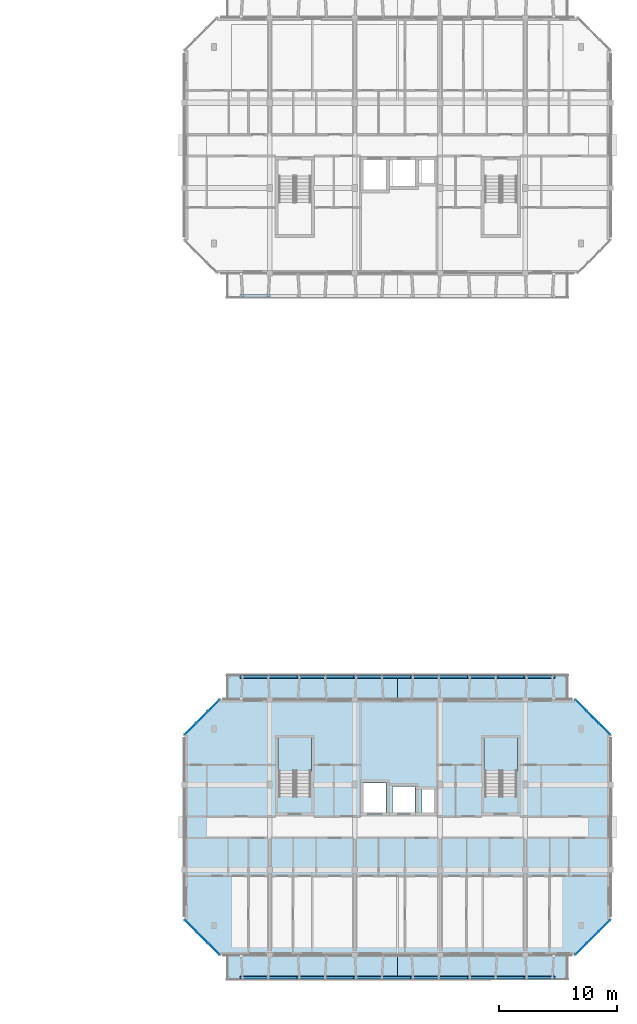
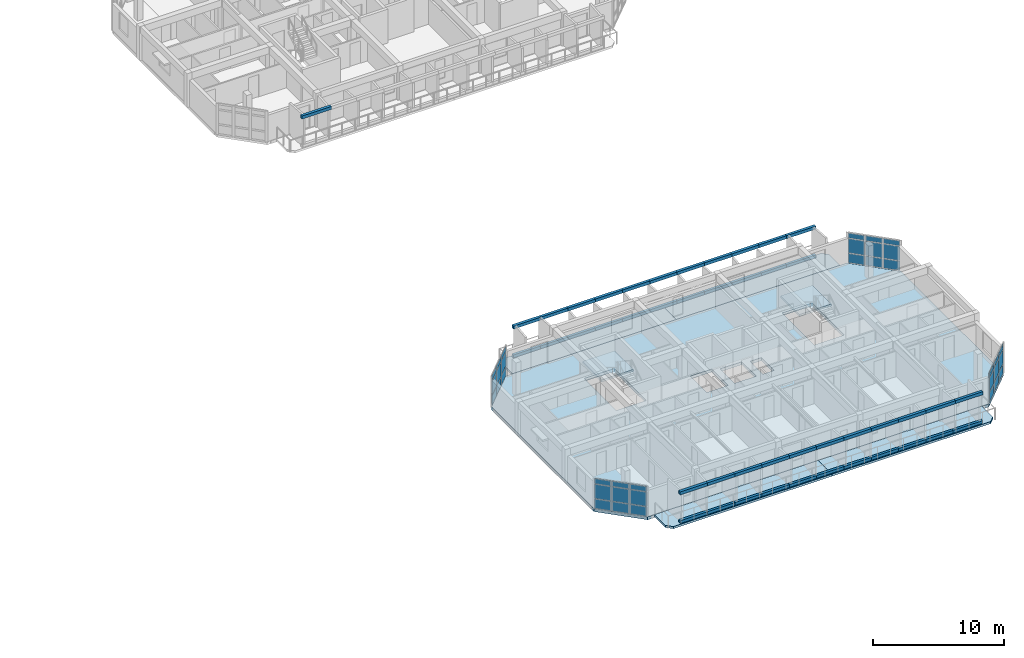
# One storey, part 10 of 30: 81 plates, 7 slabs, 6 elements without a shape of their own.
"""IFC4 building model written with IfcOpenShell, lengths in metres."""

from ifc_helpers import new_model, si_unit, direction, frame, origin, origin_2d, place, context, subcontext, project, spatial, polyline, rectangle, outline, extrude, material, layer, layer_set, type_object, element, aggregate, save


model = new_model("IFC4")

# Units and contexts
model_context = context("Model", 3, precision=1e-05, world=origin(), true_north=direction((0.0, 1.0)))
body_context = subcontext(model_context, "Body", "Model", "MODEL_VIEW")
ifc_project = project(units=[si_unit("LENGTHUNIT", "METRE"), si_unit("AREAUNIT", "SQUARE_METRE"), si_unit("VOLUMEUNIT", "CUBIC_METRE"), si_unit("PLANEANGLEUNIT", "RADIAN"), si_unit("MASSUNIT", "GRAM", prefix="KILO")], contexts=[model_context])

# Site, building, storey
site_placement = place(None, origin())
site = spatial("IfcSite", under=ifc_project, at=site_placement, CompositionType="ELEMENT")
building_placement = place(site_placement, origin())
building = spatial("IfcBuilding", under=site, at=building_placement, Name="Ochrevale Crest", CompositionType="ELEMENT")
storey_placement = place(building_placement, frame((0.0, 0.0, 33.89990234375)))
storey = spatial("IfcBuildingStorey", under=building, at=storey_placement, Name="L10", CompositionType="ELEMENT", Elevation=33.89990234375)

# Curtain wall, plates
ifc_material_1 = material(Name="Anodised aluminium 6063-T5", Category="aluminium")
ifc_layer_1 = layer(ifc_material_1, 0.14990234375)
ifc_layer_set_1 = layer_set([ifc_layer_1], Name="Anodised aluminium 6063-T5")
curtain_wall_type_1 = type_object("IfcCurtainWallType", Name="CW-WG-320x285", PredefinedType="NOTDEFINED", material=ifc_layer_set_1)
curtain_wall_1_placement = place(storey_placement, origin())
curtain_wall_1 = element("IfcCurtainWall", 1, at=curtain_wall_1_placement, inside=storey, type_object=curtain_wall_type_1, Name="Block C L10 chamfered corner wintergarden curtain wall 2", PredefinedType="NOTDEFINED")
ifc_material_2 = material(Name="Double-glazed low-E insulated glass unit", Category="glass")
ifc_layer_2 = layer(ifc_material_2, 0.028076171875)
ifc_layer_set_2 = layer_set([ifc_layer_2], Name="Double-glazed low-E insulated glass unit")
plate_type_1 = type_object("IfcPlateType", Name="CW-PNL-IGU28", PredefinedType="CURTAIN_PANEL", material=ifc_layer_set_2)
plate_1_placement = place(storey_placement, frame((163.11328125, 14.913330078125, 0.06005859375), z_axis=(0.0, 0.0, 1.0), x_axis=(0.707106781187, 0.707106781187, 0.0)))
plate_1 = element("IfcPlate", 2, at=plate_1_placement, type_object=plate_type_1, Name="CW17 panel 1.1", PredefinedType="CURTAIN_PANEL", context=body_context, shape_type="SweptSolid", body=[
    extrude(rectangle(XDim=1.3017578125, YDim=0.028076171875, at=origin_2d()), origin(), (0.0, 0.0, 1.0), 0.860107421875),
])
plate_2_placement = place(storey_placement, frame((163.11328125, 14.913330078125, 0.980224609375), z_axis=(0.0, 0.0, 1.0), x_axis=(0.707106781187, 0.707106781187, 0.0)))
plate_2 = element("IfcPlate", 3, at=plate_2_placement, type_object=plate_type_1, Name="CW17 panel 1.2", PredefinedType="CURTAIN_PANEL", context=body_context, shape_type="SweptSolid", body=[
    extrude(rectangle(XDim=1.3017578125, YDim=0.028076171875, at=origin_2d()), origin(), (0.0, 0.0, 1.0), 1.31494140625),
])
plate_3_placement = place(storey_placement, frame((163.11328125, 14.913330078125, 2.355224609375), z_axis=(0.0, 0.0, 1.0), x_axis=(0.707106781187, 0.707106781187, 0.0)))
plate_3 = element("IfcPlate", 4, at=plate_3_placement, type_object=plate_type_1, Name="CW17 panel 1.3", PredefinedType="CURTAIN_PANEL", context=body_context, shape_type="SweptSolid", body=[
    extrude(rectangle(XDim=1.3017578125, YDim=0.028076171875, at=origin_2d()), origin(), (0.0, 0.0, 1.0), 0.4599609375),
])
plate_4_placement = place(storey_placement, frame((164.10009765625, 15.89990234375, 0.06005859375), z_axis=(0.0, 0.0, 1.0), x_axis=(0.707106781187, 0.707106781187, 0.0)))
plate_4 = element("IfcPlate", 5, at=plate_4_placement, type_object=plate_type_1, Name="CW17 panel 2.1", PredefinedType="CURTAIN_PANEL", context=body_context, shape_type="SweptSolid", body=[
    extrude(rectangle(XDim=1.339111328125, YDim=0.028076171875, at=origin_2d()), origin(), (0.0, 0.0, 1.0), 0.860107421875),
])
plate_5_placement = place(storey_placement, frame((164.10009765625, 15.89990234375, 0.980224609375), z_axis=(0.0, 0.0, 1.0), x_axis=(0.707106781187, 0.707106781187, 0.0)))
plate_5 = element("IfcPlate", 6, at=plate_5_placement, type_object=plate_type_1, Name="CW17 panel 2.2", PredefinedType="CURTAIN_PANEL", context=body_context, shape_type="SweptSolid", body=[
    extrude(rectangle(XDim=1.339111328125, YDim=0.028076171875, at=origin_2d()), origin(), (0.0, 0.0, 1.0), 1.31494140625),
])
plate_6_placement = place(storey_placement, frame((164.10009765625, 15.89990234375, 2.355224609375), z_axis=(0.0, 0.0, 1.0), x_axis=(0.707106781187, 0.707106781187, 0.0)))
plate_6 = element("IfcPlate", 7, at=plate_6_placement, type_object=plate_type_1, Name="CW17 panel 2.3", PredefinedType="CURTAIN_PANEL", context=body_context, shape_type="SweptSolid", body=[
    extrude(rectangle(XDim=1.339111328125, YDim=0.028076171875, at=origin_2d()), origin(), (0.0, 0.0, 1.0), 0.4599609375),
])
plate_7_placement = place(storey_placement, frame((165.086669921875, 16.88671875, 0.06005859375), z_axis=(0.0, 0.0, 1.0), x_axis=(0.707106781187, 0.707106781187, 0.0)))
plate_7 = element("IfcPlate", 8, at=plate_7_placement, type_object=plate_type_1, Name="CW17 panel 3.1", PredefinedType="CURTAIN_PANEL", context=body_context, shape_type="SweptSolid", body=[
    extrude(rectangle(XDim=1.3017578125, YDim=0.028076171875, at=origin_2d()), origin(), (0.0, 0.0, 1.0), 0.860107421875),
])
plate_8_placement = place(storey_placement, frame((165.086669921875, 16.88671875, 0.980224609375), z_axis=(0.0, 0.0, 1.0), x_axis=(0.707106781187, 0.707106781187, 0.0)))
plate_8 = element("IfcPlate", 9, at=plate_8_placement, type_object=plate_type_1, Name="CW17 panel 3.2", PredefinedType="CURTAIN_PANEL", context=body_context, shape_type="SweptSolid", body=[
    extrude(rectangle(XDim=1.3017578125, YDim=0.028076171875, at=origin_2d()), origin(), (0.0, 0.0, 1.0), 1.31494140625),
])
plate_9_placement = place(storey_placement, frame((165.086669921875, 16.88671875, 2.355224609375), z_axis=(0.0, 0.0, 1.0), x_axis=(0.707106781187, 0.707106781187, 0.0)))
plate_9 = element("IfcPlate", 10, at=plate_9_placement, type_object=plate_type_1, Name="CW17 panel 3.3", PredefinedType="CURTAIN_PANEL", context=body_context, shape_type="SweptSolid", body=[
    extrude(rectangle(XDim=1.3017578125, YDim=0.028076171875, at=origin_2d()), origin(), (0.0, 0.0, 1.0), 0.4599609375),
])
aggregate(curtain_wall_1, [plate_1, plate_2, plate_3, plate_4, plate_5, plate_6, plate_7, plate_8, plate_9])

ifc_layer_3 = layer(ifc_material_1, 0.14990234375)
ifc_layer_set_3 = layer_set([ifc_layer_3], Name="Anodised aluminium 6063-T5")
curtain_wall_type_2 = type_object("IfcCurtainWallType", Name="CW-WG-420x285", PredefinedType="NOTDEFINED", material=ifc_layer_set_3)
curtain_wall_2_placement = place(storey_placement, origin())
curtain_wall_2 = element("IfcCurtainWall", 11, at=curtain_wall_2_placement, inside=storey, type_object=curtain_wall_type_2, Name="Block C L10 chamfered corner wintergarden curtain wall 4", PredefinedType="NOTDEFINED")
plate_10_placement = place(storey_placement, frame((165.086669921875, 33.51318359375, 0.06005859375), z_axis=(0.0, 0.0, 1.0), x_axis=(-0.707106781187, 0.707106781187, 0.0)))
plate_10 = element("IfcPlate", 12, at=plate_10_placement, type_object=plate_type_1, Name="CW22 panel 1.1", PredefinedType="CURTAIN_PANEL", context=body_context, shape_type="SweptSolid", body=[
    extrude(rectangle(XDim=1.3017578125, YDim=0.028076171875, at=origin_2d()), origin(), (0.0, 0.0, 1.0), 0.860107421875),
])
plate_11_placement = place(storey_placement, frame((165.086669921875, 33.51318359375, 0.980224609375), z_axis=(0.0, 0.0, 1.0), x_axis=(-0.707106781187, 0.707106781187, 0.0)))
plate_11 = element("IfcPlate", 13, at=plate_11_placement, type_object=plate_type_1, Name="CW22 panel 1.2", PredefinedType="CURTAIN_PANEL", context=body_context, shape_type="SweptSolid", body=[
    extrude(rectangle(XDim=1.3017578125, YDim=0.028076171875, at=origin_2d()), origin(), (0.0, 0.0, 1.0), 1.31494140625),
])
plate_12_placement = place(storey_placement, frame((165.086669921875, 33.51318359375, 2.355224609375), z_axis=(0.0, 0.0, 1.0), x_axis=(-0.707106781187, 0.707106781187, 0.0)))
plate_12 = element("IfcPlate", 14, at=plate_12_placement, type_object=plate_type_1, Name="CW22 panel 1.3", PredefinedType="CURTAIN_PANEL", context=body_context, shape_type="SweptSolid", body=[
    extrude(rectangle(XDim=1.3017578125, YDim=0.028076171875, at=origin_2d()), origin(), (0.0, 0.0, 1.0), 0.4599609375),
])
plate_13_placement = place(storey_placement, frame((164.10009765625, 34.5, 0.06005859375), z_axis=(0.0, 0.0, 1.0), x_axis=(-0.707106781187, 0.707106781187, 0.0)))
plate_13 = element("IfcPlate", 15, at=plate_13_placement, type_object=plate_type_1, Name="CW22 panel 2.1", PredefinedType="CURTAIN_PANEL", context=body_context, shape_type="SweptSolid", body=[
    extrude(rectangle(XDim=1.339111328125, YDim=0.028076171875, at=origin_2d()), origin(), (0.0, 0.0, 1.0), 0.860107421875),
])
plate_14_placement = place(storey_placement, frame((164.10009765625, 34.5, 0.980224609375), z_axis=(0.0, 0.0, 1.0), x_axis=(-0.707106781187, 0.707106781187, 0.0)))
plate_14 = element("IfcPlate", 16, at=plate_14_placement, type_object=plate_type_1, Name="CW22 panel 2.2", PredefinedType="CURTAIN_PANEL", context=body_context, shape_type="SweptSolid", body=[
    extrude(rectangle(XDim=1.339111328125, YDim=0.028076171875, at=origin_2d()), origin(), (0.0, 0.0, 1.0), 1.31494140625),
])
plate_15_placement = place(storey_placement, frame((164.10009765625, 34.5, 2.355224609375), z_axis=(0.0, 0.0, 1.0), x_axis=(-0.707106781187, 0.707106781187, 0.0)))
plate_15 = element("IfcPlate", 17, at=plate_15_placement, type_object=plate_type_1, Name="CW22 panel 2.3", PredefinedType="CURTAIN_PANEL", context=body_context, shape_type="SweptSolid", body=[
    extrude(rectangle(XDim=1.339111328125, YDim=0.028076171875, at=origin_2d()), origin(), (0.0, 0.0, 1.0), 0.4599609375),
])
plate_16_placement = place(storey_placement, frame((163.11328125, 35.48681640625, 0.06005859375), z_axis=(0.0, 0.0, 1.0), x_axis=(-0.707106781187, 0.707106781187, 0.0)))
plate_16 = element("IfcPlate", 18, at=plate_16_placement, type_object=plate_type_1, Name="CW22 panel 3.1", PredefinedType="CURTAIN_PANEL", context=body_context, shape_type="SweptSolid", body=[
    extrude(rectangle(XDim=1.3017578125, YDim=0.028076171875, at=origin_2d()), origin(), (0.0, 0.0, 1.0), 0.860107421875),
])
plate_17_placement = place(storey_placement, frame((163.11328125, 35.48681640625, 0.980224609375), z_axis=(0.0, 0.0, 1.0), x_axis=(-0.707106781187, 0.707106781187, 0.0)))
plate_17 = element("IfcPlate", 19, at=plate_17_placement, type_object=plate_type_1, Name="CW22 panel 3.2", PredefinedType="CURTAIN_PANEL", context=body_context, shape_type="SweptSolid", body=[
    extrude(rectangle(XDim=1.3017578125, YDim=0.028076171875, at=origin_2d()), origin(), (0.0, 0.0, 1.0), 1.31494140625),
])
plate_18_placement = place(storey_placement, frame((163.11328125, 35.48681640625, 2.355224609375), z_axis=(0.0, 0.0, 1.0), x_axis=(-0.707106781187, 0.707106781187, 0.0)))
plate_18 = element("IfcPlate", 20, at=plate_18_placement, type_object=plate_type_1, Name="CW22 panel 3.3", PredefinedType="CURTAIN_PANEL", context=body_context, shape_type="SweptSolid", body=[
    extrude(rectangle(XDim=1.3017578125, YDim=0.028076171875, at=origin_2d()), origin(), (0.0, 0.0, 1.0), 0.4599609375),
])
aggregate(curtain_wall_2, [plate_10, plate_11, plate_12, plate_13, plate_14, plate_15, plate_16, plate_17, plate_18])

ifc_layer_4 = layer(ifc_material_1, 0.14990234375)
ifc_layer_set_4 = layer_set([ifc_layer_4], Name="Anodised aluminium 6063-T5")
curtain_wall_type_3 = type_object("IfcCurtainWallType", Name="CW-WG-280x285", PredefinedType="NOTDEFINED", material=ifc_layer_set_4)
curtain_wall_3_placement = place(storey_placement, origin())
curtain_wall_3 = element("IfcCurtainWall", 21, at=curtain_wall_3_placement, inside=storey, type_object=curtain_wall_type_3, Name="Block C L10 chamfered corner wintergarden curtain wall 6", PredefinedType="NOTDEFINED")
ifc_material_3 = material(Name="Acoustic laminated low-E insulated glass unit", Category="glass")
ifc_layer_5 = layer(ifc_material_3, 0.0380859375)
ifc_layer_set_5 = layer_set([ifc_layer_5], Name="Acoustic laminated low-E insulated glass unit")
plate_type_2 = type_object("IfcPlateType", Name="CW-PNL-IGU38", PredefinedType="CURTAIN_PANEL", material=ifc_layer_set_5)
plate_19_placement = place(storey_placement, frame((132.086669921875, 35.48681640625, 0.06005859375), z_axis=(0.0, 0.0, 1.0), x_axis=(-0.707106781187, -0.707106781187, 0.0)))
plate_19 = element("IfcPlate", 22, at=plate_19_placement, type_object=plate_type_2, Name="CW16 panel 1.1", PredefinedType="CURTAIN_PANEL", context=body_context, shape_type="SweptSolid", body=[
    extrude(rectangle(XDim=1.3017578125, YDim=0.0380859375, at=origin_2d()), origin(), (0.0, 0.0, 1.0), 0.860107421875),
])
plate_20_placement = place(storey_placement, frame((132.086669921875, 35.48681640625, 0.980224609375), z_axis=(0.0, 0.0, 1.0), x_axis=(-0.707106781187, -0.707106781187, 0.0)))
plate_20 = element("IfcPlate", 23, at=plate_20_placement, type_object=plate_type_2, Name="CW16 panel 1.2", PredefinedType="CURTAIN_PANEL", context=body_context, shape_type="SweptSolid", body=[
    extrude(rectangle(XDim=1.3017578125, YDim=0.0380859375, at=origin_2d()), origin(), (0.0, 0.0, 1.0), 1.31494140625),
])
plate_21_placement = place(storey_placement, frame((132.086669921875, 35.48681640625, 2.355224609375), z_axis=(0.0, 0.0, 1.0), x_axis=(-0.707106781187, -0.707106781187, 0.0)))
plate_21 = element("IfcPlate", 24, at=plate_21_placement, type_object=plate_type_2, Name="CW16 panel 1.3", PredefinedType="CURTAIN_PANEL", context=body_context, shape_type="SweptSolid", body=[
    extrude(rectangle(XDim=1.3017578125, YDim=0.0380859375, at=origin_2d()), origin(), (0.0, 0.0, 1.0), 0.4599609375),
])
plate_22_placement = place(storey_placement, frame((131.10009765625, 34.5, 0.06005859375), z_axis=(0.0, 0.0, 1.0), x_axis=(-0.707106781187, -0.707106781187, 0.0)))
plate_22 = element("IfcPlate", 25, at=plate_22_placement, type_object=plate_type_2, Name="CW16 panel 2.1", PredefinedType="CURTAIN_PANEL", context=body_context, shape_type="SweptSolid", body=[
    extrude(rectangle(XDim=1.339111328125, YDim=0.0380859375, at=origin_2d()), origin(), (0.0, 0.0, 1.0), 0.860107421875),
])
plate_23_placement = place(storey_placement, frame((131.10009765625, 34.5, 0.980224609375), z_axis=(0.0, 0.0, 1.0), x_axis=(-0.707106781187, -0.707106781187, 0.0)))
plate_23 = element("IfcPlate", 26, at=plate_23_placement, type_object=plate_type_2, Name="CW16 panel 2.2", PredefinedType="CURTAIN_PANEL", context=body_context, shape_type="SweptSolid", body=[
    extrude(rectangle(XDim=1.339111328125, YDim=0.0380859375, at=origin_2d()), origin(), (0.0, 0.0, 1.0), 1.31494140625),
])
plate_24_placement = place(storey_placement, frame((131.10009765625, 34.5, 2.355224609375), z_axis=(0.0, 0.0, 1.0), x_axis=(-0.707106781187, -0.707106781187, 0.0)))
plate_24 = element("IfcPlate", 27, at=plate_24_placement, type_object=plate_type_2, Name="CW16 panel 2.3", PredefinedType="CURTAIN_PANEL", context=body_context, shape_type="SweptSolid", body=[
    extrude(rectangle(XDim=1.339111328125, YDim=0.0380859375, at=origin_2d()), origin(), (0.0, 0.0, 1.0), 0.4599609375),
])
plate_25_placement = place(storey_placement, frame((130.11328125, 33.51318359375, 0.06005859375), z_axis=(0.0, 0.0, 1.0), x_axis=(-0.707106781187, -0.707106781187, 0.0)))
plate_25 = element("IfcPlate", 28, at=plate_25_placement, type_object=plate_type_2, Name="CW16 panel 3.1", PredefinedType="CURTAIN_PANEL", context=body_context, shape_type="SweptSolid", body=[
    extrude(rectangle(XDim=1.3017578125, YDim=0.0380859375, at=origin_2d()), origin(), (0.0, 0.0, 1.0), 0.860107421875),
])
plate_26_placement = place(storey_placement, frame((130.11328125, 33.51318359375, 0.980224609375), z_axis=(0.0, 0.0, 1.0), x_axis=(-0.707106781187, -0.707106781187, 0.0)))
plate_26 = element("IfcPlate", 29, at=plate_26_placement, type_object=plate_type_2, Name="CW16 panel 3.2", PredefinedType="CURTAIN_PANEL", context=body_context, shape_type="SweptSolid", body=[
    extrude(rectangle(XDim=1.3017578125, YDim=0.0380859375, at=origin_2d()), origin(), (0.0, 0.0, 1.0), 1.31494140625),
])
plate_27_placement = place(storey_placement, frame((130.11328125, 33.51318359375, 2.355224609375), z_axis=(0.0, 0.0, 1.0), x_axis=(-0.707106781187, -0.707106781187, 0.0)))
plate_27 = element("IfcPlate", 30, at=plate_27_placement, type_object=plate_type_2, Name="CW16 panel 3.3", PredefinedType="CURTAIN_PANEL", context=body_context, shape_type="SweptSolid", body=[
    extrude(rectangle(XDim=1.3017578125, YDim=0.0380859375, at=origin_2d()), origin(), (0.0, 0.0, 1.0), 0.4599609375),
])
aggregate(curtain_wall_3, [plate_19, plate_20, plate_21, plate_22, plate_23, plate_24, plate_25, plate_26, plate_27])

ifc_layer_6 = layer(ifc_material_1, 0.14990234375)
ifc_layer_set_6 = layer_set([ifc_layer_6], Name="Anodised aluminium 6063-T5")
curtain_wall_type_4 = type_object("IfcCurtainWallType", Name="CW-WG-360x285", PredefinedType="NOTDEFINED", material=ifc_layer_set_6)
curtain_wall_4_placement = place(storey_placement, origin())
curtain_wall_4 = element("IfcCurtainWall", 31, at=curtain_wall_4_placement, inside=storey, type_object=curtain_wall_type_4, Name="Block C L10 chamfered corner wintergarden curtain wall 8", PredefinedType="NOTDEFINED")
plate_28_placement = place(storey_placement, frame((130.11328125, 16.88671875, 0.06005859375), z_axis=(0.0, 0.0, 1.0), x_axis=(0.707106781187, -0.707106781187, 0.0)))
plate_28 = element("IfcPlate", 32, at=plate_28_placement, type_object=plate_type_2, Name="CW18 panel 1.1", PredefinedType="CURTAIN_PANEL", context=body_context, shape_type="SweptSolid", body=[
    extrude(rectangle(XDim=1.3017578125, YDim=0.0380859375, at=origin_2d()), origin(), (0.0, 0.0, 1.0), 0.860107421875),
])
plate_29_placement = place(storey_placement, frame((130.11328125, 16.88671875, 0.980224609375), z_axis=(0.0, 0.0, 1.0), x_axis=(0.707106781187, -0.707106781187, 0.0)))
plate_29 = element("IfcPlate", 33, at=plate_29_placement, type_object=plate_type_2, Name="CW18 panel 1.2", PredefinedType="CURTAIN_PANEL", context=body_context, shape_type="SweptSolid", body=[
    extrude(rectangle(XDim=1.3017578125, YDim=0.0380859375, at=origin_2d()), origin(), (0.0, 0.0, 1.0), 1.31494140625),
])
plate_30_placement = place(storey_placement, frame((130.11328125, 16.88671875, 2.355224609375), z_axis=(0.0, 0.0, 1.0), x_axis=(0.707106781187, -0.707106781187, 0.0)))
plate_30 = element("IfcPlate", 34, at=plate_30_placement, type_object=plate_type_2, Name="CW18 panel 1.3", PredefinedType="CURTAIN_PANEL", context=body_context, shape_type="SweptSolid", body=[
    extrude(rectangle(XDim=1.3017578125, YDim=0.0380859375, at=origin_2d()), origin(), (0.0, 0.0, 1.0), 0.4599609375),
])
plate_31_placement = place(storey_placement, frame((131.10009765625, 15.89990234375, 0.06005859375), z_axis=(0.0, 0.0, 1.0), x_axis=(0.707106781187, -0.707106781187, 0.0)))
plate_31 = element("IfcPlate", 35, at=plate_31_placement, type_object=plate_type_2, Name="CW18 panel 2.1", PredefinedType="CURTAIN_PANEL", context=body_context, shape_type="SweptSolid", body=[
    extrude(rectangle(XDim=1.339111328125, YDim=0.0380859375, at=origin_2d()), origin(), (0.0, 0.0, 1.0), 0.860107421875),
])
plate_32_placement = place(storey_placement, frame((131.10009765625, 15.89990234375, 0.980224609375), z_axis=(0.0, 0.0, 1.0), x_axis=(0.707106781187, -0.707106781187, 0.0)))
plate_32 = element("IfcPlate", 36, at=plate_32_placement, type_object=plate_type_2, Name="CW18 panel 2.2", PredefinedType="CURTAIN_PANEL", context=body_context, shape_type="SweptSolid", body=[
    extrude(rectangle(XDim=1.339111328125, YDim=0.0380859375, at=origin_2d()), origin(), (0.0, 0.0, 1.0), 1.31494140625),
])
plate_33_placement = place(storey_placement, frame((131.10009765625, 15.89990234375, 2.355224609375), z_axis=(0.0, 0.0, 1.0), x_axis=(0.707106781187, -0.707106781187, 0.0)))
plate_33 = element("IfcPlate", 37, at=plate_33_placement, type_object=plate_type_2, Name="CW18 panel 2.3", PredefinedType="CURTAIN_PANEL", context=body_context, shape_type="SweptSolid", body=[
    extrude(rectangle(XDim=1.339111328125, YDim=0.0380859375, at=origin_2d()), origin(), (0.0, 0.0, 1.0), 0.4599609375),
])
plate_34_placement = place(storey_placement, frame((132.086669921875, 14.913330078125, 0.06005859375), z_axis=(0.0, 0.0, 1.0), x_axis=(0.707106781187, -0.707106781187, 0.0)))
plate_34 = element("IfcPlate", 38, at=plate_34_placement, type_object=plate_type_2, Name="CW18 panel 3.1", PredefinedType="CURTAIN_PANEL", context=body_context, shape_type="SweptSolid", body=[
    extrude(rectangle(XDim=1.3017578125, YDim=0.0380859375, at=origin_2d()), origin(), (0.0, 0.0, 1.0), 0.860107421875),
])
plate_35_placement = place(storey_placement, frame((132.086669921875, 14.913330078125, 0.980224609375), z_axis=(0.0, 0.0, 1.0), x_axis=(0.707106781187, -0.707106781187, 0.0)))
plate_35 = element("IfcPlate", 39, at=plate_35_placement, type_object=plate_type_2, Name="CW18 panel 3.2", PredefinedType="CURTAIN_PANEL", context=body_context, shape_type="SweptSolid", body=[
    extrude(rectangle(XDim=1.3017578125, YDim=0.0380859375, at=origin_2d()), origin(), (0.0, 0.0, 1.0), 1.31494140625),
])
plate_36_placement = place(storey_placement, frame((132.086669921875, 14.913330078125, 2.355224609375), z_axis=(0.0, 0.0, 1.0), x_axis=(0.707106781187, -0.707106781187, 0.0)))
plate_36 = element("IfcPlate", 40, at=plate_36_placement, type_object=plate_type_2, Name="CW18 panel 3.3", PredefinedType="CURTAIN_PANEL", context=body_context, shape_type="SweptSolid", body=[
    extrude(rectangle(XDim=1.3017578125, YDim=0.0380859375, at=origin_2d()), origin(), (0.0, 0.0, 1.0), 0.4599609375),
])
aggregate(curtain_wall_4, [plate_28, plate_29, plate_30, plate_31, plate_32, plate_33, plate_34, plate_35, plate_36])

# Plates
ifc_material_4 = material(Name="Precast concrete C40/50", Category="concrete")
ifc_layer_7 = layer(ifc_material_4, 0.06005859375)
ifc_layer_set_7 = layer_set([ifc_layer_7], Name="Precast concrete C40/50")
plate_type_3 = type_object("IfcPlateType", Name="PLT-HC-HEAD-60", PredefinedType="USERDEFINED", material=ifc_layer_set_7)
for number, where, z_axis, x_axis, name in (
    (41, (135.60009765625, 12.5, 2.669921875), (0.0, 0.0, 1.0), (1.0, 0.0, 0.0), "Block C L10 S honeycomb arched lintel fascia 1"),
    (42, (138.0, 12.5, 2.669921875), (0.0, 0.0, 1.0), (1.0, 0.0, 0.0), "Block C L10 S honeycomb arched lintel fascia 2"),
    (43, (140.39990234375, 12.5, 2.669921875), (0.0, 0.0, 1.0), (1.0, 0.0, 0.0), "Block C L10 S honeycomb arched lintel fascia 3"),
    (44, (142.800048828125, 12.5, 2.669921875), (0.0, 0.0, 1.0), (1.0, 0.0, 0.0), "Block C L10 S honeycomb arched lintel fascia 4"),
    (45, (145.199951171875, 12.5, 2.669921875), (0.0, 0.0, 1.0), (1.0, 0.0, 0.0), "Block C L10 S honeycomb arched lintel fascia 5"),
    (46, (147.60009765625, 12.5, 2.669921875), (0.0, 0.0, 1.0), (1.0, 0.0, 0.0), "Block C L10 S honeycomb arched lintel fascia 6"),
    (47, (150.0, 12.5, 2.669921875), (0.0, 0.0, 1.0), (1.0, 0.0, 0.0), "Block C L10 S honeycomb arched lintel fascia 7"),
    (48, (152.39990234375, 12.5, 2.669921875), (0.0, 0.0, 1.0), (1.0, 0.0, 0.0), "Block C L10 S honeycomb arched lintel fascia 8"),
    (49, (154.800048828125, 12.5, 2.669921875), (0.0, 0.0, 1.0), (1.0, 0.0, 0.0), "Block C L10 S honeycomb arched lintel fascia 9"),
    (50, (157.199951171875, 12.5, 2.669921875), (0.0, 0.0, 1.0), (1.0, 0.0, 0.0), "Block C L10 S honeycomb arched lintel fascia 10"),
    (51, (159.60009765625, 12.5, 2.669921875), (0.0, 0.0, 1.0), (1.0, 0.0, 0.0), "Block C L10 S honeycomb arched lintel fascia 11"),
    (52, (135.60009765625, 37.89990234375, 2.669921875), (0.0, 0.0, 1.0), (1.0, 0.0, 0.0), "Block C L10 N honeycomb arched lintel fascia 1"),
    (53, (138.0, 37.89990234375, 2.669921875), (0.0, 0.0, 1.0), (1.0, 0.0, 0.0), "Block C L10 N honeycomb arched lintel fascia 2"),
    (54, (140.39990234375, 37.89990234375, 2.669921875), (0.0, 0.0, 1.0), (1.0, 0.0, 0.0), "Block C L10 N honeycomb arched lintel fascia 3"),
    (55, (142.800048828125, 37.89990234375, 2.669921875), (0.0, 0.0, 1.0), (1.0, 0.0, 0.0), "Block C L10 N honeycomb arched lintel fascia 4"),
    (56, (145.199951171875, 37.89990234375, 2.669921875), (0.0, 0.0, 1.0), (1.0, 0.0, 0.0), "Block C L10 N honeycomb arched lintel fascia 5"),
    (57, (147.60009765625, 37.89990234375, 2.669921875), (0.0, 0.0, 1.0), (1.0, 0.0, 0.0), "Block C L10 N honeycomb arched lintel fascia 6"),
    (58, (150.0, 37.89990234375, 2.669921875), (0.0, 0.0, 1.0), (1.0, 0.0, 0.0), "Block C L10 N honeycomb arched lintel fascia 7"),
    (59, (152.39990234375, 37.89990234375, 2.669921875), (0.0, 0.0, 1.0), (1.0, 0.0, 0.0), "Block C L10 N honeycomb arched lintel fascia 8"),
    (60, (154.800048828125, 37.89990234375, 2.669921875), (0.0, 0.0, 1.0), (1.0, 0.0, 0.0), "Block C L10 N honeycomb arched lintel fascia 9"),
    (61, (157.199951171875, 37.89990234375, 2.669921875), (0.0, 0.0, 1.0), (1.0, 0.0, 0.0), "Block C L10 N honeycomb arched lintel fascia 10"),
    (62, (159.60009765625, 37.89990234375, 2.669921875), (0.0, 0.0, 1.0), (1.0, 0.0, 0.0), "Block C L10 N honeycomb arched lintel fascia 11"),
    (63, (135.60009765625, 70.10009765625, 2.669921875), (0.0, 0.0, 1.0), (1.0, 0.0, 0.0), "Block D L10 S honeycomb arched lintel fascia 1"),
):
    element("IfcPlate", number, at=place(storey_placement, frame(where, z_axis=z_axis, x_axis=x_axis)), inside=storey, type_object=plate_type_3, Name=name, ObjectType="FACADE FASCIA PLATE", PredefinedType="USERDEFINED", context=body_context, shape_type="SweptSolid", body=[
        extrude(rectangle(XDim=2.60009765625, YDim=0.239990234375, at=origin_2d()), origin(), (0.0, 0.0, 1.0), 0.280029296875),
    ])
ifc_layer_8 = layer(ifc_material_4, 0.044921875)
ifc_layer_set_8 = layer_set([ifc_layer_8], Name="Precast concrete C40/50")
plate_type_4 = type_object("IfcPlateType", Name="PLT-HC-SILL-45", PredefinedType="USERDEFINED", material=ifc_layer_set_8)
for number, where, z_axis, x_axis, name in (
    (64, (135.60009765625, 12.5, 0.0), (0.0, 0.0, 1.0), (1.0, 0.0, 0.0), "Block C L10 S honeycomb sill coping plate 1"),
    (65, (138.0, 12.5, 0.0), (0.0, 0.0, 1.0), (1.0, 0.0, 0.0), "Block C L10 S honeycomb sill coping plate 2"),
    (66, (140.39990234375, 12.5, 0.0), (0.0, 0.0, 1.0), (1.0, 0.0, 0.0), "Block C L10 S honeycomb sill coping plate 3"),
    (67, (142.800048828125, 12.5, 0.0), (0.0, 0.0, 1.0), (1.0, 0.0, 0.0), "Block C L10 S honeycomb sill coping plate 4"),
    (68, (145.199951171875, 12.5, 0.0), (0.0, 0.0, 1.0), (1.0, 0.0, 0.0), "Block C L10 S honeycomb sill coping plate 5"),
    (69, (147.60009765625, 12.5, 0.0), (0.0, 0.0, 1.0), (1.0, 0.0, 0.0), "Block C L10 S honeycomb sill coping plate 6"),
    (70, (150.0, 12.5, 0.0), (0.0, 0.0, 1.0), (1.0, 0.0, 0.0), "Block C L10 S honeycomb sill coping plate 7"),
    (71, (152.39990234375, 12.5, 0.0), (0.0, 0.0, 1.0), (1.0, 0.0, 0.0), "Block C L10 S honeycomb sill coping plate 8"),
    (72, (154.800048828125, 12.5, 0.0), (0.0, 0.0, 1.0), (1.0, 0.0, 0.0), "Block C L10 S honeycomb sill coping plate 9"),
    (73, (157.199951171875, 12.5, 0.0), (0.0, 0.0, 1.0), (1.0, 0.0, 0.0), "Block C L10 S honeycomb sill coping plate 10"),
    (74, (159.60009765625, 12.5, 0.0), (0.0, 0.0, 1.0), (1.0, 0.0, 0.0), "Block C L10 S honeycomb sill coping plate 11"),
    (75, (135.60009765625, 37.89990234375, 0.0), (0.0, 0.0, 1.0), (1.0, 0.0, 0.0), "Block C L10 N honeycomb sill coping plate 1"),
    (76, (138.0, 37.89990234375, 0.0), (0.0, 0.0, 1.0), (1.0, 0.0, 0.0), "Block C L10 N honeycomb sill coping plate 2"),
    (77, (140.39990234375, 37.89990234375, 0.0), (0.0, 0.0, 1.0), (1.0, 0.0, 0.0), "Block C L10 N honeycomb sill coping plate 3"),
    (78, (142.800048828125, 37.89990234375, 0.0), (0.0, 0.0, 1.0), (1.0, 0.0, 0.0), "Block C L10 N honeycomb sill coping plate 4"),
    (79, (145.199951171875, 37.89990234375, 0.0), (0.0, 0.0, 1.0), (1.0, 0.0, 0.0), "Block C L10 N honeycomb sill coping plate 5"),
    (80, (147.60009765625, 37.89990234375, 0.0), (0.0, 0.0, 1.0), (1.0, 0.0, 0.0), "Block C L10 N honeycomb sill coping plate 6"),
    (81, (150.0, 37.89990234375, 0.0), (0.0, 0.0, 1.0), (1.0, 0.0, 0.0), "Block C L10 N honeycomb sill coping plate 7"),
    (82, (152.39990234375, 37.89990234375, 0.0), (0.0, 0.0, 1.0), (1.0, 0.0, 0.0), "Block C L10 N honeycomb sill coping plate 8"),
    (83, (154.800048828125, 37.89990234375, 0.0), (0.0, 0.0, 1.0), (1.0, 0.0, 0.0), "Block C L10 N honeycomb sill coping plate 9"),
    (84, (157.199951171875, 37.89990234375, 0.0), (0.0, 0.0, 1.0), (1.0, 0.0, 0.0), "Block C L10 N honeycomb sill coping plate 10"),
    (85, (159.60009765625, 37.89990234375, 0.0), (0.0, 0.0, 1.0), (1.0, 0.0, 0.0), "Block C L10 N honeycomb sill coping plate 11"),
):
    element("IfcPlate", number, at=place(storey_placement, frame(where, z_axis=z_axis, x_axis=x_axis)), inside=storey, type_object=plate_type_4, Name=name, ObjectType="SILL COPING PLATE", PredefinedType="USERDEFINED", context=body_context, shape_type="SweptSolid", body=[
        extrude(rectangle(XDim=2.60009765625, YDim=0.219970703125, at=origin_2d()), origin(), (0.0, 0.0, 1.0), 0.260009765625),
    ])

# Slabs
ifc_layer_9 = layer(ifc_material_4, 0.199951171875)
ifc_layer_set_9 = layer_set([ifc_layer_9], Name="Precast concrete C40/50")
slab_type_1 = type_object("IfcSlabType", Name="SLB-BAL-200", PredefinedType="FLOOR", material=ifc_layer_set_9)
slab_1_placement = place(storey_placement, frame((0.0, 0.0, -0.199951171875)))
element("IfcSlab", 86, at=slab_1_placement, inside=storey, type_object=slab_type_1, Name="Block C L10 S1 precast loggia balcony slab", PredefinedType="FLOOR", context=body_context, shape_type="SweptSolid", body=[
    extrude(outline(polyline([(133.64990234375, 12.300048828125), (147.60009765625, 12.300048828125), (147.60009765625, 14.39990234375), (133.199951171875, 14.39990234375), (133.199951171875, 12.75), (133.64990234375, 12.300048828125)])), origin(), (0.0, 0.0, 1.0), 0.199951171875),
])
slab_2_placement = place(storey_placement, frame((0.0, 0.0, -0.199951171875)))
element("IfcSlab", 87, at=slab_2_placement, inside=storey, type_object=slab_type_1, Name="Block C L10 S2 precast loggia balcony slab", PredefinedType="FLOOR", context=body_context, shape_type="SweptSolid", body=[
    extrude(outline(polyline([(147.60009765625, 12.300048828125), (161.550048828125, 12.300048828125), (162.0, 12.75), (162.0, 14.39990234375), (147.60009765625, 14.39990234375), (147.60009765625, 12.300048828125)])), origin(), (0.0, 0.0, 1.0), 0.199951171875),
])
slab_3_placement = place(storey_placement, frame((0.0, 0.0, -0.199951171875)))
element("IfcSlab", 88, at=slab_3_placement, inside=storey, type_object=slab_type_1, Name="Block C L10 N1 precast loggia balcony slab", PredefinedType="FLOOR", context=body_context, shape_type="SweptSolid", body=[
    extrude(outline(polyline([(133.199951171875, 36.0), (147.60009765625, 36.0), (147.60009765625, 38.10009765625), (133.64990234375, 38.10009765625), (133.199951171875, 37.64990234375), (133.199951171875, 36.0)])), origin(), (0.0, 0.0, 1.0), 0.199951171875),
])
slab_4_placement = place(storey_placement, frame((0.0, 0.0, -0.199951171875)))
element("IfcSlab", 89, at=slab_4_placement, inside=storey, type_object=slab_type_1, Name="Block C L10 N2 precast loggia balcony slab", PredefinedType="FLOOR", context=body_context, shape_type="SweptSolid", body=[
    extrude(outline(polyline([(147.60009765625, 36.0), (162.0, 36.0), (162.0, 37.64990234375), (161.550048828125, 38.10009765625), (147.60009765625, 38.10009765625), (147.60009765625, 36.0)])), origin(), (0.0, 0.0, 1.0), 0.199951171875),
])
ifc_layer_10 = layer(ifc_material_4, 0.27490234375)
ifc_layer_set_10 = layer_set([ifc_layer_10], Name="Precast concrete C40/50")
slab_type_2 = type_object("IfcSlabType", Name="SLB-RES-275", PredefinedType="FLOOR", material=ifc_layer_set_10)
slab_5_placement = place(storey_placement, frame((0.0, 0.0, -0.27490234375)))
element("IfcSlab", 90, at=slab_5_placement, inside=storey, type_object=slab_type_2, Name="Block C L10 composite hollowcore floor slab", PredefinedType="FLOOR", context=body_context, shape_type="SweptSolid", body=[
    extrude(outline(polyline([(132.60009765625, 14.39990234375), (162.60009765625, 14.39990234375), (165.60009765625, 17.39990234375), (165.60009765625, 33.0), (162.60009765625, 36.0), (132.60009765625, 36.0), (129.60009765625, 33.0), (129.60009765625, 17.39990234375), (132.60009765625, 14.39990234375)]), holes=[polyline([(140.25, 27.824951171875), (140.25, 32.72509765625), (137.60009765625, 32.72509765625), (137.60009765625, 27.824951171875), (140.25, 27.824951171875)]), polyline([(157.64990234375, 27.824951171875), (157.64990234375, 32.72509765625), (155.0, 32.72509765625), (155.0, 27.824951171875), (157.64990234375, 27.824951171875)]), polyline([(144.75, 26.449951171875), (146.64990234375, 26.449951171875), (146.64990234375, 28.949951171875), (144.75, 28.949951171875), (144.75, 26.449951171875)]), polyline([(147.199951171875, 26.449951171875), (149.10009765625, 26.449951171875), (149.10009765625, 28.64990234375), (147.199951171875, 28.64990234375), (147.199951171875, 26.449951171875)]), polyline([(149.669921875, 26.419921875), (150.679931640625, 26.419921875), (150.679931640625, 28.3798828125), (149.669921875, 28.3798828125), (149.669921875, 26.419921875)])]), origin(), (0.0, 0.0, 1.0), 0.27490234375),
])

# Stair, slab
stair_type = type_object("IfcStairType", Name="ST-CORE-DOG", PredefinedType="HALF_TURN_STAIR", material=ifc_material_4)
stair_1_placement = place(storey_placement, origin())
stair_1 = element("IfcStair", 91, at=stair_1_placement, inside=storey, type_object=stair_type, Name="L10 Block C Fire Stair 1", PredefinedType="HALF_TURN_STAIR")
ifc_layer_11 = layer(ifc_material_4, 0.199951171875)
ifc_layer_set_11 = layer_set([ifc_layer_11], Name="Precast concrete C40/50")
slab_type_3 = type_object("IfcSlabType", Name="SLB-ST-LAND", PredefinedType="LANDING", material=ifc_layer_set_11)
slab_6_placement = place(storey_placement, frame((0.0, 0.0, 1.375)))
slab_6 = element("IfcSlab", 92, at=slab_6_placement, type_object=slab_type_3, Name="ST-C1 landing 1", PredefinedType="LANDING", context=body_context, shape_type="SweptSolid", body=[
    extrude(outline(polyline([(140.330078125, 29.93505859375), (140.330078125, 32.804931640625), (137.52001953125, 32.804931640625), (137.52001953125, 29.93505859375), (140.330078125, 29.93505859375)])), origin(), (0.0, 0.0, 1.0), 0.2001953125),
])
aggregate(stair_1, [slab_6])

stair_2_placement = place(storey_placement, origin())
stair_2 = element("IfcStair", 93, at=stair_2_placement, inside=storey, type_object=stair_type, Name="L10 Block C Fire Stair 2", PredefinedType="HALF_TURN_STAIR")
slab_7_placement = place(storey_placement, frame((0.0, 0.0, 1.375)))
slab_7 = element("IfcSlab", 94, at=slab_7_placement, type_object=slab_type_3, Name="ST-C2 landing 1", PredefinedType="LANDING", context=body_context, shape_type="SweptSolid", body=[
    extrude(outline(polyline([(157.72998046875, 29.93505859375), (157.72998046875, 32.804931640625), (154.919921875, 32.804931640625), (154.919921875, 29.93505859375), (157.72998046875, 29.93505859375)])), origin(), (0.0, 0.0, 1.0), 0.2001953125),
])
aggregate(stair_2, [slab_7])

save(model, "model.ifc")
